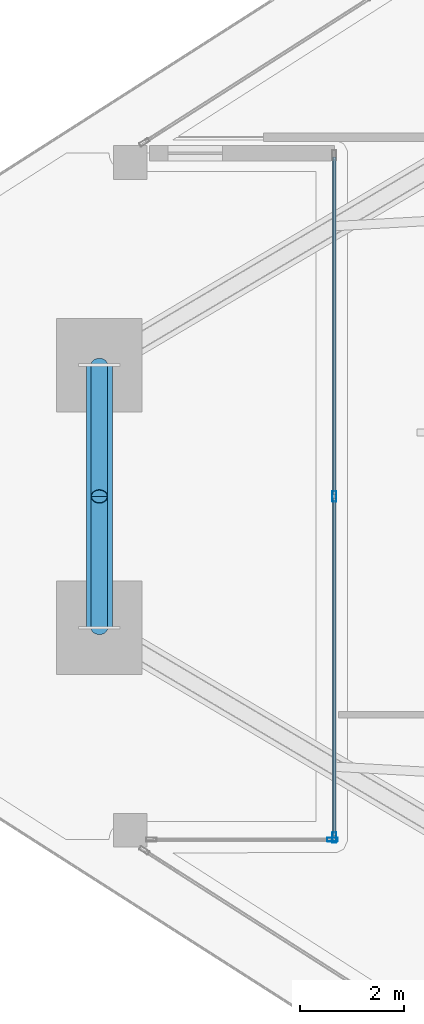
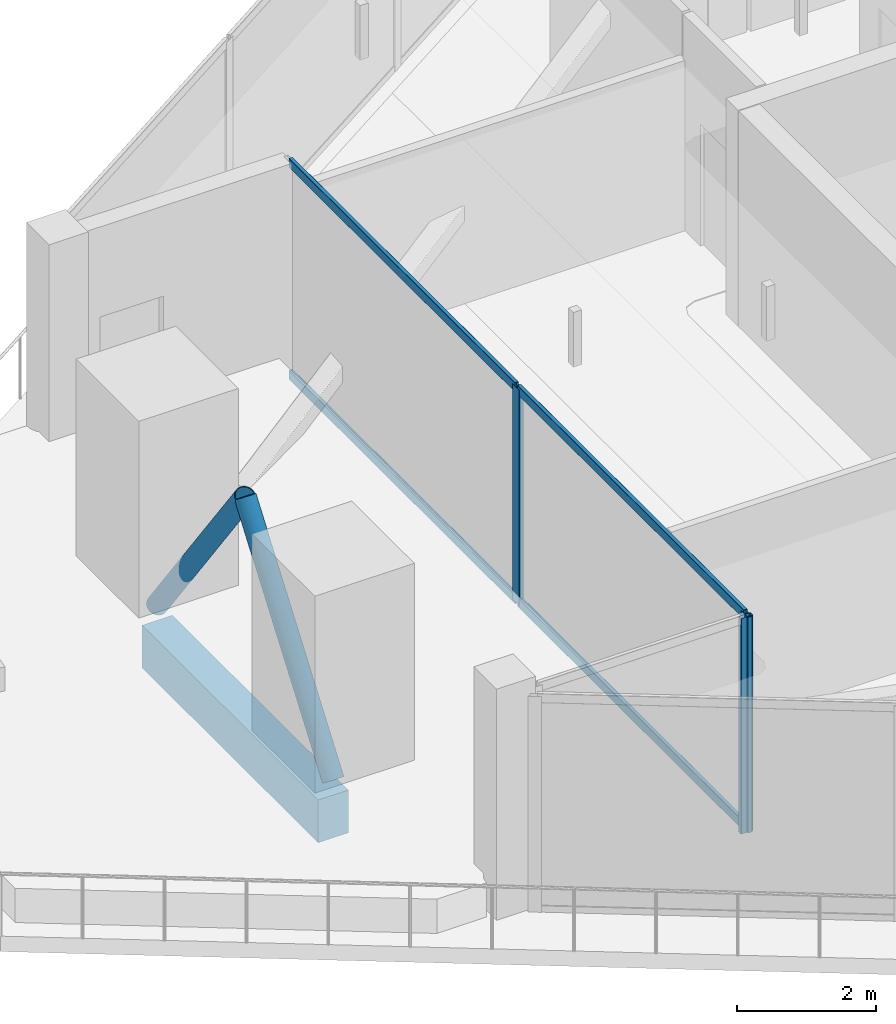
# One storey, part 9 of 40: 9 members, 1 beam, 2 elements without a shape of their own.
"""IFC4 building model written with IfcOpenShell, lengths in metres."""

from ifc_helpers import new_model, si_unit, direction, frame, origin, origin_2d, place, context, subcontext, project, spatial, rectangle, hollow_rectangle, hollow_circle, extrude, material, layer, layer_set, material_profile, profile_set, type_object, element, aggregate, save


model = new_model("IFC4")

# Units and contexts
model_context = context("Model", 3, precision=1e-05, world=origin(), true_north=direction((0.0, 1.0)))
body_context = subcontext(model_context, "Body", "Model", "MODEL_VIEW")
ifc_project = project(units=[si_unit("LENGTHUNIT", "METRE"), si_unit("AREAUNIT", "SQUARE_METRE"), si_unit("VOLUMEUNIT", "CUBIC_METRE"), si_unit("PLANEANGLEUNIT", "RADIAN"), si_unit("MASSUNIT", "GRAM", prefix="KILO")], contexts=[model_context])

# Site, building, storey
site_placement = place(None, origin())
site = spatial("IfcSite", under=ifc_project, at=site_placement, CompositionType="ELEMENT")
building_placement = place(site_placement, origin())
building = spatial("IfcBuilding", under=site, at=building_placement, Name="Qorvath Tower", CompositionType="ELEMENT")
storey_placement = place(building_placement, frame((0.0, 0.0, 225.300048828125)))
storey = spatial("IfcBuildingStorey", under=building, at=storey_placement, Name="L52", CompositionType="ELEMENT", Elevation=225.300048828125)

# Beam
ifc_material_1 = material(Name="Concrete C45/55", Category="concrete")
ifc_material_profile_1 = material_profile(ifc_material_1, rectangle(XDim=0.5, YDim=0.75, at=origin_2d()), Name="RCB 750x500")
ifc_profile_set_1 = profile_set([ifc_material_profile_1], Name="Concrete C45/55")
beam_type = type_object("IfcBeamType", Name="BM-RCB3", PredefinedType="SPANDREL", material=ifc_profile_set_1)
beam_placement = place(storey_placement, frame((-49.171875, 2.52783203125, -0.64501953125), z_axis=(0.0, -1.0, 0.0), x_axis=(1.0, 0.0, 0.0)))
element("IfcBeam", 1, at=beam_placement, inside=storey, type_object=beam_type, Name="Perimeter Loggia Frame Beam MC1-MC2 L52", PredefinedType="SPANDREL", context=body_context, shape_type="SweptSolid", body=[
    extrude(rectangle(XDim=0.5, YDim=0.75, at=origin_2d()), origin(), (0.0, 0.0, 1.0), 5.0556640625),
])

# Curtain wall, members
ifc_material_2 = material(Name="Anodised aluminium and triple low-E glass", Category="aluminium")
ifc_layer = layer(ifc_material_2, 0.179931640625)
ifc_layer_set = layer_set([ifc_layer], Name="CW-SYS-5")
curtain_wall_type = type_object("IfcCurtainWallType", Name="CW-SYS-5", PredefinedType="NOTDEFINED", material=ifc_layer_set)
curtain_wall_1_placement = place(storey_placement, origin())
curtain_wall_1 = element("IfcCurtainWall", 2, at=curtain_wall_1_placement, inside=storey, type_object=curtain_wall_type, Name="Curtain Wall CW-5 CW-T-L52-2.1", PredefinedType="NOTDEFINED")
ifc_material_3 = material(Name="Anodised aluminium 6063-T6", Category="aluminium")
ifc_material_profile_2 = material_profile(ifc_material_3, hollow_rectangle(XDim=0.074951171875, YDim=0.199951171875, WallThickness=0.00390625, InnerFilletRadius=0.00390625, OuterFilletRadius=0.008056640625, at=origin_2d()), Name="CWM 200x75")
ifc_profile_set_2 = profile_set([ifc_material_profile_2], Name="Anodised aluminium 6063-T6")
member_type_1 = type_object("IfcMemberType", Name="CWM-200", PredefinedType="MULLION", material=ifc_profile_set_2)
member_1_placement = place(storey_placement, frame((-44.64794921875, 0.0, 0.0), z_axis=(0.0, 0.0, 1.0), x_axis=(1.0, 0.0, 0.0)))
member_1 = element("IfcMember", 3, at=member_1_placement, type_object=member_type_1, Name="CW-5 mullion 2", PredefinedType="MULLION", context=body_context, shape_type="SweptSolid", body=[
    extrude(hollow_rectangle(XDim=0.074951171875, YDim=0.199951171875, WallThickness=0.00390625, InnerFilletRadius=0.00390625, OuterFilletRadius=0.008056640625, at=origin_2d()), origin(), (0.0, 0.0, 1.0), 3.780029296875),
])
member_2_placement = place(storey_placement, frame((-44.64794921875, -6.56689453125, 0.0), z_axis=(0.0, 0.0, 1.0), x_axis=(1.0, 0.0, 0.0)))
member_2 = element("IfcMember", 4, at=member_2_placement, type_object=member_type_1, Name="CW-5 mullion 3", PredefinedType="MULLION", context=body_context, shape_type="SweptSolid", body=[
    extrude(hollow_rectangle(XDim=0.074951171875, YDim=0.199951171875, WallThickness=0.00390625, InnerFilletRadius=0.00390625, OuterFilletRadius=0.008056640625, at=origin_2d()), origin(), (0.0, 0.0, 1.0), 3.780029296875),
])

# Curtain wall, member
curtain_wall_2_placement = place(storey_placement, origin())
curtain_wall_2 = element("IfcCurtainWall", 5, at=curtain_wall_2_placement, inside=storey, type_object=curtain_wall_type, Name="Curtain Wall CW-5 CW-T-L52-3.1", PredefinedType="NOTDEFINED")
member_3_placement = place(storey_placement, frame((-44.685302734375, -6.6044921875, 0.0), z_axis=(0.0, 0.0, 1.0), x_axis=(0.0, -1.0, 0.0)))
member_3 = element("IfcMember", 6, at=member_3_placement, type_object=member_type_1, Name="CW-5 mullion 1", PredefinedType="MULLION", context=body_context, shape_type="SweptSolid", body=[
    extrude(hollow_rectangle(XDim=0.074951171875, YDim=0.199951171875, WallThickness=0.00390625, InnerFilletRadius=0.00390625, OuterFilletRadius=0.008056640625, at=origin_2d()), origin(), (0.0, 0.0, 1.0), 3.780029296875),
])
aggregate(curtain_wall_2, [member_3])

# Member
ifc_material_4 = material(Name="Anodised aluminium 6063-T6", Category="aluminium")
ifc_material_profile_3 = material_profile(ifc_material_4, hollow_rectangle(XDim=0.06494140625, YDim=0.159912109375, WallThickness=0.00341796875, InnerFilletRadius=0.00341796875, OuterFilletRadius=0.007080078125, at=origin_2d()), Name="CWT 160x65")
ifc_profile_set_3 = profile_set([ifc_material_profile_3], Name="Anodised aluminium 6063-T6")
member_type_2 = type_object("IfcMemberType", Name="CWT-160", PredefinedType="USERDEFINED", material=ifc_profile_set_3)
member_4_placement = place(storey_placement, frame((-44.64794921875, 6.529541015625, 0.032470703125), z_axis=(0.0, -1.0, 0.0), x_axis=(1.0, 0.0, 0.0)))
member_4 = element("IfcMember", 7, at=member_4_placement, type_object=member_type_2, Name="CW-5 transom 1.1", ObjectType="TRANSOM", PredefinedType="USERDEFINED", context=body_context, shape_type="SweptSolid", body=[
    extrude(hollow_rectangle(XDim=0.06494140625, YDim=0.159912109375, WallThickness=0.00341796875, InnerFilletRadius=0.00341796875, OuterFilletRadius=0.007080078125, at=origin_2d()), origin(), (0.0, 0.0, 1.0), 6.491943359375),
])

member_5_placement = place(storey_placement, frame((-44.64794921875, 6.529541015625, 3.74755859375), z_axis=(0.0, -1.0, 0.0), x_axis=(1.0, 0.0, 0.0)))
member_5 = element("IfcMember", 8, at=member_5_placement, type_object=member_type_2, Name="CW-5 transom 1.2", ObjectType="TRANSOM", PredefinedType="USERDEFINED", context=body_context, shape_type="SweptSolid", body=[
    extrude(hollow_rectangle(XDim=0.06494140625, YDim=0.159912109375, WallThickness=0.00341796875, InnerFilletRadius=0.00341796875, OuterFilletRadius=0.007080078125, at=origin_2d()), origin(), (0.0, 0.0, 1.0), 6.491943359375),
])

member_6_placement = place(storey_placement, frame((-44.64794921875, -0.03759765625, 0.032470703125), z_axis=(0.0, -1.0, 0.0), x_axis=(1.0, 0.0, 0.0)))
member_6 = element("IfcMember", 9, at=member_6_placement, type_object=member_type_2, Name="CW-5 transom 2.1", ObjectType="TRANSOM", PredefinedType="USERDEFINED", context=body_context, shape_type="SweptSolid", body=[
    extrude(hollow_rectangle(XDim=0.06494140625, YDim=0.159912109375, WallThickness=0.00341796875, InnerFilletRadius=0.00341796875, OuterFilletRadius=0.007080078125, at=origin_2d()), origin(), (0.0, 0.0, 1.0), 6.491943359375),
])

member_7_placement = place(storey_placement, frame((-44.64794921875, -0.03759765625, 3.74755859375), z_axis=(0.0, -1.0, 0.0), x_axis=(1.0, 0.0, 0.0)))
member_7 = element("IfcMember", 10, at=member_7_placement, type_object=member_type_2, Name="CW-5 transom 2.2", ObjectType="TRANSOM", PredefinedType="USERDEFINED", context=body_context, shape_type="SweptSolid", body=[
    extrude(hollow_rectangle(XDim=0.06494140625, YDim=0.159912109375, WallThickness=0.00341796875, InnerFilletRadius=0.00341796875, OuterFilletRadius=0.007080078125, at=origin_2d()), origin(), (0.0, 0.0, 1.0), 6.491943359375),
])

aggregate(curtain_wall_1, [member_1, member_2, member_4, member_5, member_6, member_7])

# Members
ifc_material_5 = material(Name="Steel ASTM A500 Grade C", Category="steel")
ifc_material_profile_4 = material_profile(ifc_material_5, hollow_circle(Radius=0.161865234375, WallThickness=0.0126953125, at=origin_2d()), Name="CHS 324x12.7")
ifc_profile_set_4 = profile_set([ifc_material_profile_4], Name="Steel ASTM A500 Grade C")
member_type_3 = type_object("IfcMemberType", Name="MEM-ST1", PredefinedType="STRUT", material=ifc_profile_set_4)
for number, where, z_axis, x_axis, name in (
    (11, (-49.171875, 2.52783203125, 0.0), (0.0, -0.593277217456, 0.804998225617), (1.0, 0.0, 0.0), "Sky Garden Corner Strut L52-A"),
    (12, (-49.171875, -2.52783203125, 0.0), (0.0, 0.593277217456, 0.804998225617), (-1.0, 0.0, 0.0), "Sky Garden Corner Strut L52-B"),
):
    element("IfcMember", number, at=place(storey_placement, frame(where, z_axis=z_axis, x_axis=x_axis)), inside=storey, type_object=member_type_3, Name=name, PredefinedType="STRUT", context=body_context, shape_type="SweptSolid", body=[
        extrude(hollow_circle(Radius=0.161865234375, WallThickness=0.0126953125, at=origin_2d()), origin(), (0.0, 0.0, 1.0), 4.2607421875),
    ])

save(model, "model.ifc")
